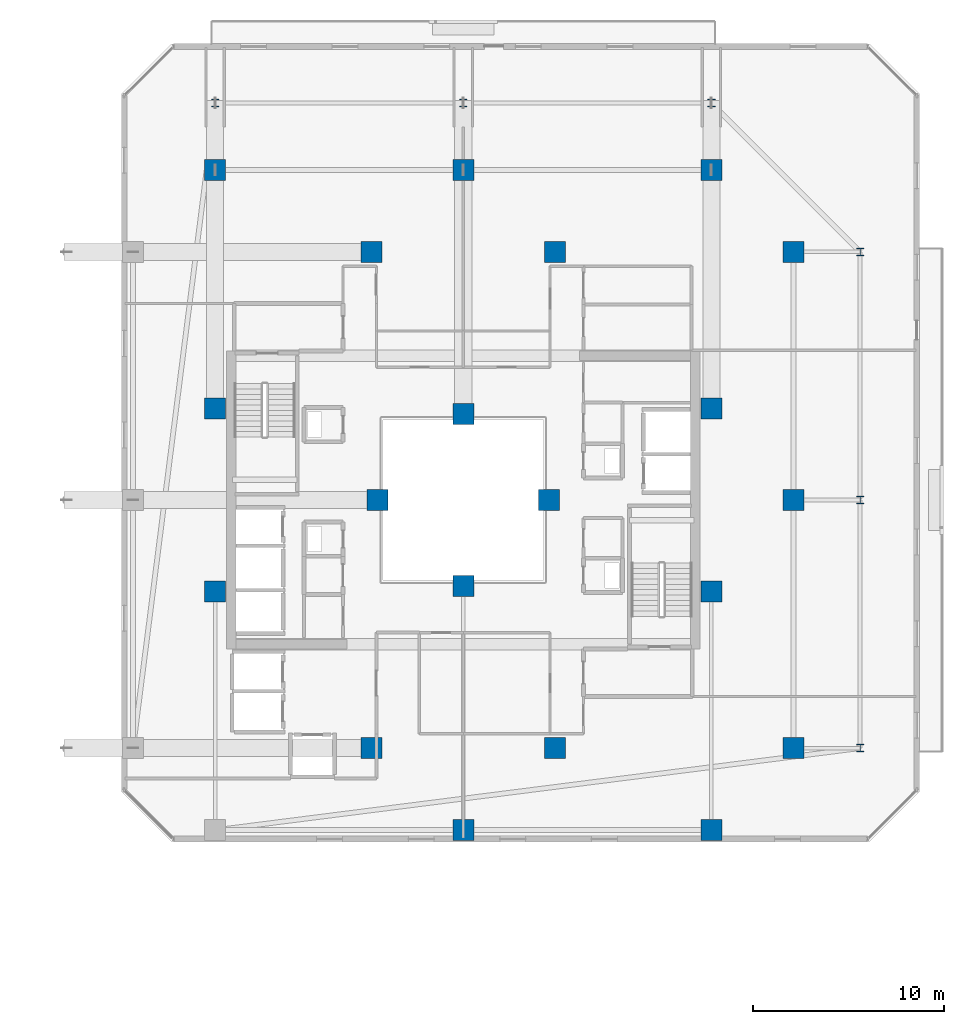
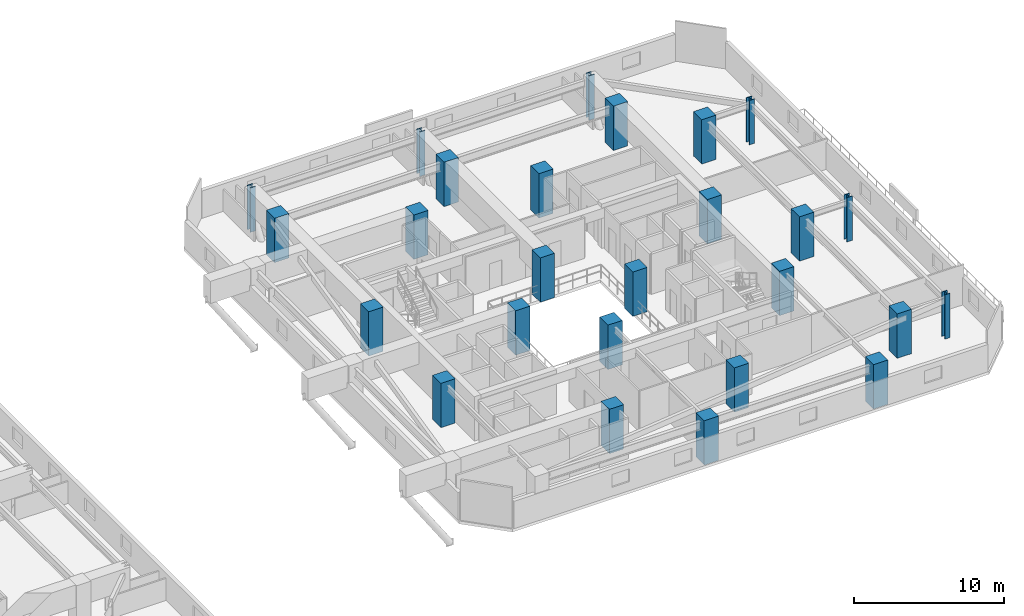
# One storey, part 2 of 36: 26 columns.
"""IFC4 building model written with IfcOpenShell, lengths in metres."""

from ifc_helpers import new_model, si_unit, direction, frame, origin, origin_2d, place, context, subcontext, project, spatial, rectangle, i_section, extrude, material, material_profile, profile_set, type_object, element, save


model = new_model("IFC4")

# Units and contexts
model_context = context("Model", 3, precision=1e-05, world=origin(), true_north=direction((0.0, 1.0)))
body_context = subcontext(model_context, "Body", "Model", "MODEL_VIEW")
ifc_project = project(units=[si_unit("LENGTHUNIT", "METRE"), si_unit("AREAUNIT", "SQUARE_METRE"), si_unit("VOLUMEUNIT", "CUBIC_METRE"), si_unit("PLANEANGLEUNIT", "RADIAN"), si_unit("MASSUNIT", "GRAM", prefix="KILO")], contexts=[model_context])

# Site, building, storey
site_placement = place(None, origin())
site = spatial("IfcSite", under=ifc_project, at=site_placement, CompositionType="ELEMENT")
building_placement = place(site_placement, origin())
building = spatial("IfcBuilding", under=site, at=building_placement, Name="Thornwick Lancets Civic Towers", CompositionType="ELEMENT")
storey_placement = place(building_placement, frame((0.0, 0.0, 170.699951171875)))
storey = spatial("IfcBuildingStorey", under=building, at=storey_placement, Name="L45", CompositionType="ELEMENT", Elevation=170.699951171875)

# Columns
ifc_material_1 = material(Name="Concrete C50/60", Category="concrete")
ifc_material_profile_1 = material_profile(ifc_material_1, rectangle(XDim=1.10009765625, YDim=1.10009765625, at=origin_2d()), Name="RC 1100x1100")
ifc_profile_set_1 = profile_set([ifc_material_profile_1], Name="Concrete C50/60")
column_type_1 = type_object("IfcColumnType", Name="COL_RC_1100", PredefinedType="COLUMN", material=ifc_profile_set_1)
for number, where, z_axis, x_axis, name in (
    (1, (105.800048828125, 14.0, 0.0), (0.0, 0.0, 1.0), (1.0, 0.0, 0.0), "L45 Spine Mega-Column B01"),
    (2, (105.800048828125, 27.0, 0.0), (0.0, 0.0, 1.0), (1.0, 0.0, 0.0), "L45 Spine Mega-Column B02"),
    (3, (105.800048828125, 40.0, 0.0), (0.0, 0.0, 1.0), (1.0, 0.0, 0.0), "L45 Spine Mega-Column B03"),
    (4, (101.5, 44.300048828125, 0.0), (0.0, 0.0, 1.0), (1.0, 0.0, 0.0), "L45 Spine Mega-Column B04"),
    (5, (88.5, 44.300048828125, 0.0), (0.0, 0.0, 1.0), (1.0, 0.0, 0.0), "L45 Spine Mega-Column B05"),
    (6, (75.5, 44.300048828125, 0.0), (0.0, 0.0, 1.0), (1.0, 0.0, 0.0), "L45 Spine Mega-Column B06"),
    (7, (101.5, 9.699951171875, 0.0), (0.0, 0.0, 1.0), (1.0, 0.0, 0.0), "L45 Spine Mega-Column B10"),
    (8, (88.5, 9.699951171875, 0.0), (0.0, 0.0, 1.0), (1.0, 0.0, 0.0), "L45 Spine Mega-Column B11"),
    (9, (93.300048828125, 14.0, 0.0), (0.0, 0.0, 1.0), (1.0, 0.0, 0.0), "L45 Spine Mega-Column B13"),
    (10, (93.300048828125, 40.0, 0.0), (0.0, 0.0, 1.0), (1.0, 0.0, 0.0), "L45 Spine Mega-Column B14"),
    (11, (83.699951171875, 14.0, 0.0), (0.0, 0.0, 1.0), (1.0, 0.0, 0.0), "L45 Spine Mega-Column B15"),
    (12, (83.699951171875, 40.0, 0.0), (0.0, 0.0, 1.0), (1.0, 0.0, 0.0), "L45 Spine Mega-Column B16"),
    (13, (101.5, 22.199951171875, 0.0), (0.0, 0.0, 1.0), (1.0, 0.0, 0.0), "L45 Spine Mega-Column B17"),
    (14, (101.5, 31.800048828125, 0.0), (0.0, 0.0, 1.0), (1.0, 0.0, 0.0), "L45 Spine Mega-Column B18"),
    (15, (75.5, 22.199951171875, 0.0), (0.0, 0.0, 1.0), (1.0, 0.0, 0.0), "L45 Spine Mega-Column B19"),
    (16, (75.5, 31.800048828125, 0.0), (0.0, 0.0, 1.0), (1.0, 0.0, 0.0), "L45 Spine Mega-Column B20"),
    (17, (93.0, 27.0, 0.0), (0.0, 0.0, 1.0), (1.0, 0.0, 0.0), "L45 Spine Mega-Column B21"),
    (18, (84.0, 27.0, 0.0), (0.0, 0.0, 1.0), (1.0, 0.0, 0.0), "L45 Spine Mega-Column B22"),
    (19, (88.5, 22.5, 0.0), (0.0, 0.0, 1.0), (1.0, 0.0, 0.0), "L45 Spine Mega-Column B23"),
    (20, (88.5, 31.5, 0.0), (0.0, 0.0, 1.0), (1.0, 0.0, 0.0), "L45 Spine Mega-Column B24"),
):
    element("IfcColumn", number, at=place(storey_placement, frame(where, z_axis=z_axis, x_axis=x_axis)), inside=storey, type_object=column_type_1, Name=name, PredefinedType="COLUMN", context=body_context, shape_type="SweptSolid", body=[
        extrude(rectangle(XDim=1.10009765625, YDim=1.10009765625, at=origin_2d()), origin(), (0.0, 0.0, 1.0), 3.60009765625),
    ])
ifc_material_2 = material(Name="Steel S460M", Category="steel")
ifc_material_profile_2 = material_profile(ifc_material_2, i_section(OverallWidth=0.406982421875, OverallDepth=0.4189453125, WebThickness=0.030517578125, FlangeThickness=0.04931640625, FilletRadius=0.01513671875, at=origin_2d()), Name="UKC 356x406x393")
ifc_profile_set_2 = profile_set([ifc_material_profile_2], Name="Steel S460M")
column_type_2 = type_object("IfcColumnType", Name="COL_UKC_393", PredefinedType="COLUMN", material=ifc_profile_set_2)
for number, where, z_axis, x_axis, name in (
    (21, (109.300048828125, 14.0, 0.0), (0.0, 0.0, 1.0), (1.0, 0.0, 0.0), "L45 Block Perimeter Column B01"),
    (22, (109.300048828125, 27.0, 0.0), (0.0, 0.0, 1.0), (1.0, 0.0, 0.0), "L45 Block Perimeter Column B02"),
    (23, (109.300048828125, 40.0, 0.0), (0.0, 0.0, 1.0), (1.0, 0.0, 0.0), "L45 Block Perimeter Column B03"),
    (24, (101.5, 47.800048828125, 0.0), (0.0, 0.0, 1.0), (1.0, 0.0, 0.0), "L45 Block Perimeter Column B04"),
    (25, (88.5, 47.800048828125, 0.0), (0.0, 0.0, 1.0), (1.0, 0.0, 0.0), "L45 Block Perimeter Column B05"),
    (26, (75.5, 47.800048828125, 0.0), (0.0, 0.0, 1.0), (1.0, 0.0, 0.0), "L45 Block Perimeter Column B06"),
):
    element("IfcColumn", number, at=place(storey_placement, frame(where, z_axis=z_axis, x_axis=x_axis)), inside=storey, type_object=column_type_2, Name=name, PredefinedType="COLUMN", context=body_context, shape_type="SweptSolid", body=[
        extrude(i_section(OverallWidth=0.406982421875, OverallDepth=0.4189453125, WebThickness=0.030517578125, FlangeThickness=0.04931640625, FilletRadius=0.01513671875, at=origin_2d()), origin(), (0.0, 0.0, 1.0), 3.60009765625),
    ])

save(model, "model.ifc")
